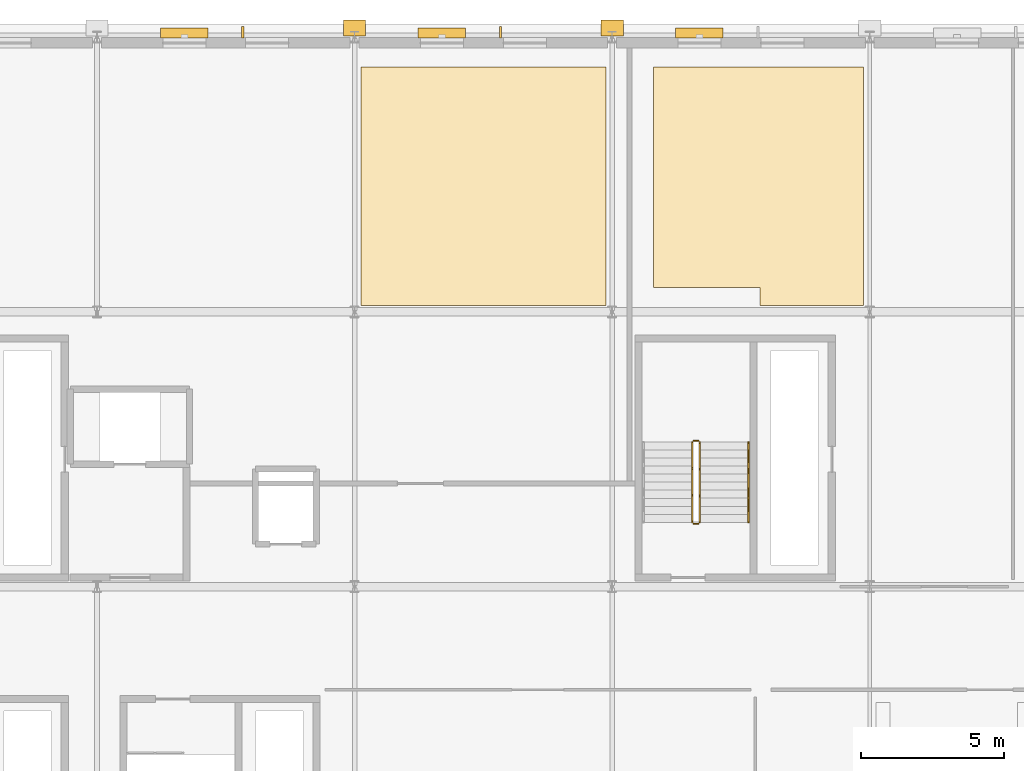
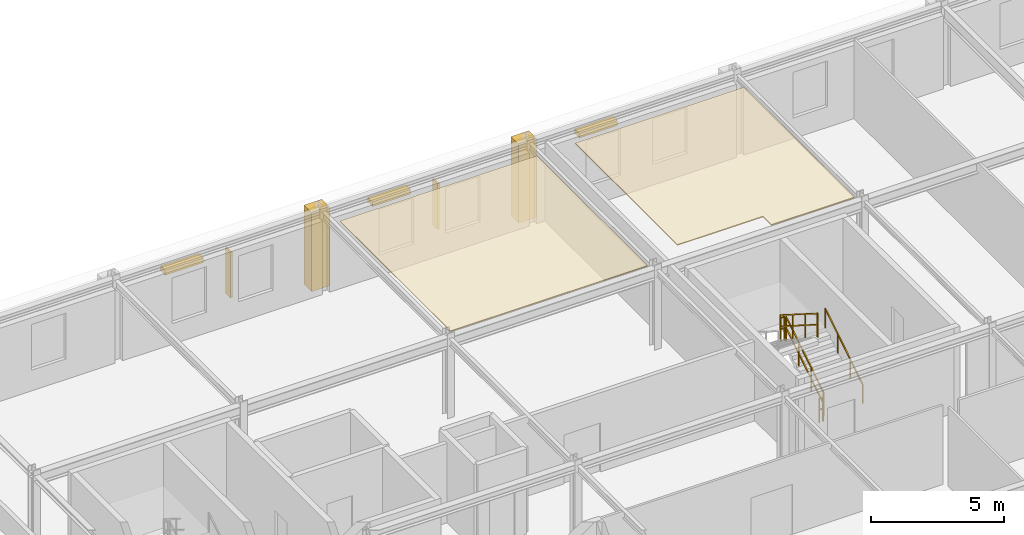
# One storey, part 50 of 52: 5 railings, 5 shading devices, 4 coverings.
"""IFC4 building model written with IfcOpenShell, lengths in metres."""

from ifc_helpers import new_model, si_unit, direction, frame, origin, origin_2d, place, context, subcontext, project, spatial, polyline, rectangle, outline, extrude, material, layer, layer_set, type_object, element, save


model = new_model("IFC4")

# Units and contexts
model_context = context("Model", 3, precision=1e-05, world=origin(), true_north=direction((0.0, 1.0)))
body_context = subcontext(model_context, "Body", "Model", "MODEL_VIEW")
ifc_project = project(units=[si_unit("LENGTHUNIT", "METRE"), si_unit("AREAUNIT", "SQUARE_METRE"), si_unit("VOLUMEUNIT", "CUBIC_METRE"), si_unit("PLANEANGLEUNIT", "RADIAN"), si_unit("MASSUNIT", "GRAM", prefix="KILO")], contexts=[model_context])

# Site, building, storey
site_placement = place(None, origin())
site = spatial("IfcSite", under=ifc_project, at=site_placement, CompositionType="ELEMENT")
building_placement = place(site_placement, origin())
building = spatial("IfcBuilding", under=site, at=building_placement, Name="Myrtia Square Station", CompositionType="ELEMENT")
storey_placement = place(building_placement, frame((0.0, 0.0, 15.0)))
storey = spatial("IfcBuildingStorey", under=building, at=storey_placement, Name="L03", CompositionType="ELEMENT", Elevation=15.0)

# Coverings
ifc_material_1 = material(Name="Pentelic marble ashlar", Category="masonry")
ifc_layer_1 = layer(ifc_material_1, 0.4599609375, Name="Pentelic marble ashlar")
ifc_layer_set_1 = layer_set([ifc_layer_1], Name="Pentelic marble ashlar")
covering_type_1 = type_object("IfcCoveringType", Name="COV-ARCH-ASHLAR", PredefinedType="CLADDING", material=ifc_layer_set_1)
for number, where, z_axis, x_axis, name in (
    (1, (144.0, 125.1201171875, -0.0400390625), (0.0, 0.0, 1.0), (1.0, 0.0, 0.0), "Classical Pentelic ashlar pilaster 084"),
    (2, (153.0, 125.1201171875, -0.0400390625), (0.0, 0.0, 1.0), (1.0, 0.0, 0.0), "Classical Pentelic ashlar pilaster 093"),
):
    element("IfcCovering", number, at=place(storey_placement, frame(where, z_axis=z_axis, x_axis=x_axis)), inside=storey, type_object=covering_type_1, Name=name, PredefinedType="CLADDING", context=body_context, shape_type="SweptSolid", body=[
        extrude(rectangle(XDim=0.780029296875, YDim=0.56005859375, at=origin_2d()), origin(), (0.0, 0.0, 1.0), 3.639892578125),
    ])
ifc_material_2 = material(Name="Gypsum plasterboard")
ifc_layer_2 = layer(ifc_material_2, 0.034912109375, Name="Gypsum plasterboard")
ifc_layer_set_2 = layer_set([ifc_layer_2], Name="Gypsum plasterboard")
covering_type_2 = type_object("IfcCoveringType", Name="COV-CEIL-ACOUSTIC", PredefinedType="CEILING", material=ifc_layer_set_2)
covering_1_placement = place(storey_placement, frame((0.0, 0.0, 3.625)))
element("IfcCovering", 3, at=covering_1_placement, inside=storey, type_object=covering_type_2, Name="Acoustic coffer ceiling L03-14", PredefinedType="CEILING", context=body_context, shape_type="SweptSolid", body=[
    extrude(outline(polyline([(152.780029296875, 123.75), (152.780029296875, 115.419921875), (144.219970703125, 115.419921875), (144.219970703125, 123.75), (152.780029296875, 123.75)])), origin(), (0.0, 0.0, 1.0), 0.034912109375),
])
ifc_material_3 = material(Name="Acoustic European oak timber", Category="wood")
ifc_layer_3 = layer(ifc_material_3, 0.044921875, Name="Acoustic European oak timber")
ifc_layer_set_3 = layer_set([ifc_layer_3], Name="Acoustic European oak timber")
covering_type_3 = type_object("IfcCoveringType", Name="COV-CEIL-OAK", PredefinedType="CEILING", material=ifc_layer_set_3)
covering_2_placement = place(storey_placement, frame((0.0, 0.0, 3.614990234375)))
element("IfcCovering", 4, at=covering_2_placement, inside=storey, type_object=covering_type_3, Name="Acoustic coffer ceiling L03-15", PredefinedType="CEILING", context=body_context, shape_type="SweptSolid", body=[
    extrude(outline(polyline([(158.159912109375, 116.050048828125), (154.449951171875, 116.050048828125), (154.449951171875, 123.75), (161.780029296875, 123.75), (161.780029296875, 115.419921875), (158.159912109375, 115.419921875), (158.159912109375, 116.050048828125)])), origin(), (0.0, 0.0, 1.0), 0.044921875),
])

# Railings
ifc_material_4 = material(Name="Dark bronze anodised aluminium", Category="aluminium")
railing_type_1 = type_object("IfcRailingType", Name="RL-HANDRAIL-900", PredefinedType="HANDRAIL", material=ifc_material_4)
railing_1_placement = place(storey_placement, frame((157.760009765625, 107.85009765625, 0.17724609375)))
element("IfcRailing", 5, at=railing_1_placement, inside=storey, type_object=railing_type_1, Name="L03 ST15 stair handrail 1", PredefinedType="HANDRAIL", context=body_context, shape_type="SweptSolid", body=[
    extrude(rectangle(XDim=0.048095703125, YDim=0.048095703125, at=origin_2d()), frame((0.0, 0.029296875, 0.894287109375), z_axis=(0.0, 0.844887892834, 0.53494340686), x_axis=(-1.0, 0.0, 0.0)), (0.0, 0.0, 1.0), 1.035400390625),
    extrude(rectangle(XDim=0.048095703125, YDim=0.048095703125, at=origin_2d()), frame((0.0, 0.962646484375, 1.4853515625), z_axis=(0.0, 0.844887892834, 0.53494340686), x_axis=(-1.0, 0.0, 0.0)), (0.0, 0.0, 1.0), 1.035400390625),
    extrude(rectangle(XDim=0.048095703125, YDim=0.048095703125, at=origin_2d()), frame((0.0, 1.895751953125, 2.076171875), z_axis=(0.0, 0.844887892834, 0.53494340686), x_axis=(-1.0, 0.0, 0.0)), (0.0, 0.0, 1.0), 1.035400390625),
    extrude(rectangle(XDim=0.0439453125, YDim=0.0439453125, at=origin_2d()), origin(), (0.0, 0.0, 1.0), 0.89990234375),
    extrude(rectangle(XDim=0.0439453125, YDim=0.0439453125, at=origin_2d()), frame((0.0, 0.933349609375, 0.5908203125)), (0.0, 0.0, 1.0), 0.89990234375),
    extrude(rectangle(XDim=0.0439453125, YDim=0.0439453125, at=origin_2d()), frame((0.0, 1.866455078125, 1.181884765625)), (0.0, 0.0, 1.0), 0.89990234375),
    extrude(rectangle(XDim=0.0439453125, YDim=0.0439453125, at=origin_2d()), frame((0.0, 2.7998046875, 1.772705078125)), (0.0, 0.0, 1.0), 0.89990234375),
])
ifc_material_5 = material(Name="Wrought iron", Category="steel")
railing_type_2 = type_object("IfcRailingType", Name="RL-INT-GUARD-1100", PredefinedType="BALUSTRADE", material=ifc_material_5)
railing_2_placement = place(storey_placement, frame((156.06005859375, 107.85009765625, 0.17724609375)))
element("IfcRailing", 6, at=railing_2_placement, inside=storey, type_object=railing_type_2, Name="L03 ST15 stair guard 1", PredefinedType="BALUSTRADE", context=body_context, shape_type="SweptSolid", body=[
    extrude(rectangle(XDim=0.048095703125, YDim=0.048095703125, at=origin_2d()), frame((0.0, 0.029296875, 1.114501953125), z_axis=(0.0, 0.844887892834, 0.53494340686), x_axis=(-1.0, 0.0, 0.0)), (0.0, 0.0, 1.0), 1.035400390625),
    extrude(rectangle(XDim=0.048095703125, YDim=0.048095703125, at=origin_2d()), frame((0.0, 0.029296875, 0.60107421875), z_axis=(0.0, 0.844887892834, 0.53494340686), x_axis=(-1.0, 0.0, 0.0)), (0.0, 0.0, 1.0), 1.035400390625),
    extrude(rectangle(XDim=0.048095703125, YDim=0.048095703125, at=origin_2d()), frame((0.0, 0.962646484375, 1.70556640625), z_axis=(0.0, 0.844887892834, 0.53494340686), x_axis=(-1.0, 0.0, 0.0)), (0.0, 0.0, 1.0), 1.035400390625),
    extrude(rectangle(XDim=0.048095703125, YDim=0.048095703125, at=origin_2d()), frame((0.0, 0.962646484375, 1.19189453125), z_axis=(0.0, 0.844887892834, 0.53494340686), x_axis=(-1.0, 0.0, 0.0)), (0.0, 0.0, 1.0), 1.035400390625),
    extrude(rectangle(XDim=0.048095703125, YDim=0.048095703125, at=origin_2d()), frame((0.0, 1.895751953125, 2.29638671875), z_axis=(0.0, 0.844887892834, 0.53494340686), x_axis=(-1.0, 0.0, 0.0)), (0.0, 0.0, 1.0), 1.035400390625),
    extrude(rectangle(XDim=0.048095703125, YDim=0.048095703125, at=origin_2d()), frame((0.0, 1.895751953125, 1.78271484375), z_axis=(0.0, 0.844887892834, 0.53494340686), x_axis=(-1.0, 0.0, 0.0)), (0.0, 0.0, 1.0), 1.035400390625),
    extrude(rectangle(XDim=0.0439453125, YDim=0.0439453125, at=origin_2d()), origin(), (0.0, 0.0, 1.0), 1.1201171875),
    extrude(rectangle(XDim=0.0439453125, YDim=0.0439453125, at=origin_2d()), frame((0.0, 0.933349609375, 0.5908203125)), (0.0, 0.0, 1.0), 1.1201171875),
    extrude(rectangle(XDim=0.0439453125, YDim=0.0439453125, at=origin_2d()), frame((0.0, 1.866455078125, 1.181884765625)), (0.0, 0.0, 1.0), 1.1201171875),
    extrude(rectangle(XDim=0.0439453125, YDim=0.0439453125, at=origin_2d()), frame((0.0, 2.7998046875, 1.772705078125)), (0.0, 0.0, 1.0), 1.1201171875),
])
railing_3_placement = place(storey_placement, frame((156.010009765625, 110.699951171875, 1.949951171875)))
element("IfcRailing", 7, at=railing_3_placement, inside=storey, type_object=railing_type_2, Name="L03 ST15 stair guard 2", PredefinedType="BALUSTRADE", context=body_context, shape_type="SweptSolid", body=[
    extrude(rectangle(XDim=0.048095703125, YDim=0.048095703125, at=origin_2d()), frame((-0.03466796875, 0.0, 1.09619140625), z_axis=(-1.0, 0.0, 0.0), x_axis=(0.0, -1.0, 0.0)), (0.0, 0.0, 1.0), 0.090576171875),
    extrude(rectangle(XDim=0.048095703125, YDim=0.048095703125, at=origin_2d()), frame((-0.03466796875, 0.0, 0.58251953125), z_axis=(-1.0, 0.0, 0.0), x_axis=(0.0, -1.0, 0.0)), (0.0, 0.0, 1.0), 0.090576171875),
    extrude(rectangle(XDim=0.0439453125, YDim=0.0439453125, at=origin_2d()), origin(), (0.0, 0.0, 1.0), 1.1201171875),
    extrude(rectangle(XDim=0.0439453125, YDim=0.0439453125, at=origin_2d()), frame((-0.159912109375, 0.0, 0.0)), (0.0, 0.0, 1.0), 1.1201171875),
])
railing_4_placement = place(storey_placement, frame((155.800048828125, 110.64990234375, 2.127197265625)))
element("IfcRailing", 8, at=railing_4_placement, inside=storey, type_object=railing_type_2, Name="L03 ST15 stair guard 3", PredefinedType="BALUSTRADE", context=body_context, shape_type="SweptSolid", body=[
    extrude(rectangle(XDim=0.048095703125, YDim=0.048095703125, at=origin_2d()), frame((0.0, -0.029296875, 1.114501953125), z_axis=(0.0, -0.844887892834, 0.53494340686), x_axis=(1.0, 0.0, 0.0)), (0.0, 0.0, 1.0), 1.035400390625),
    extrude(rectangle(XDim=0.048095703125, YDim=0.048095703125, at=origin_2d()), frame((0.0, -0.029296875, 0.60107421875), z_axis=(0.0, -0.844887892834, 0.53494340686), x_axis=(1.0, 0.0, 0.0)), (0.0, 0.0, 1.0), 1.035400390625),
    extrude(rectangle(XDim=0.048095703125, YDim=0.048095703125, at=origin_2d()), frame((0.0, -0.962646484375, 1.70556640625), z_axis=(0.0, -0.844887892834, 0.53494340686), x_axis=(1.0, 0.0, 0.0)), (0.0, 0.0, 1.0), 1.035400390625),
    extrude(rectangle(XDim=0.048095703125, YDim=0.048095703125, at=origin_2d()), frame((0.0, -0.962646484375, 1.19189453125), z_axis=(0.0, -0.844887892834, 0.53494340686), x_axis=(1.0, 0.0, 0.0)), (0.0, 0.0, 1.0), 1.035400390625),
    extrude(rectangle(XDim=0.048095703125, YDim=0.048095703125, at=origin_2d()), frame((0.0, -1.895751953125, 2.29638671875), z_axis=(0.0, -0.844887892834, 0.53494340686), x_axis=(1.0, 0.0, 0.0)), (0.0, 0.0, 1.0), 1.035400390625),
    extrude(rectangle(XDim=0.048095703125, YDim=0.048095703125, at=origin_2d()), frame((0.0, -1.895751953125, 1.78271484375), z_axis=(0.0, -0.844887892834, 0.53494340686), x_axis=(1.0, 0.0, 0.0)), (0.0, 0.0, 1.0), 1.035400390625),
    extrude(rectangle(XDim=0.0439453125, YDim=0.0439453125, at=origin_2d()), origin(), (0.0, 0.0, 1.0), 1.1201171875),
    extrude(rectangle(XDim=0.0439453125, YDim=0.0439453125, at=origin_2d()), frame((0.0, -0.933349609375, 0.5908203125)), (0.0, 0.0, 1.0), 1.1201171875),
    extrude(rectangle(XDim=0.0439453125, YDim=0.0439453125, at=origin_2d()), frame((0.0, -1.866455078125, 1.181884765625)), (0.0, 0.0, 1.0), 1.1201171875),
    extrude(rectangle(XDim=0.0439453125, YDim=0.0439453125, at=origin_2d()), frame((0.0, -2.7998046875, 1.772705078125)), (0.0, 0.0, 1.0), 1.1201171875),
])
railing_5_placement = place(storey_placement, frame((156.010009765625, 107.800048828125, 0.0)))
element("IfcRailing", 9, at=railing_5_placement, inside=storey, type_object=railing_type_2, Name="L03 ST15 stair guard 4", PredefinedType="BALUSTRADE", context=body_context, shape_type="SweptSolid", body=[
    extrude(rectangle(XDim=0.048095703125, YDim=0.048095703125, at=origin_2d()), frame((-0.03466796875, 0.0, 1.09619140625), z_axis=(-1.0, 0.0, 0.0), x_axis=(0.0, -1.0, 0.0)), (0.0, 0.0, 1.0), 0.090576171875),
    extrude(rectangle(XDim=0.048095703125, YDim=0.048095703125, at=origin_2d()), frame((-0.03466796875, 0.0, 0.58251953125), z_axis=(-1.0, 0.0, 0.0), x_axis=(0.0, -1.0, 0.0)), (0.0, 0.0, 1.0), 0.090576171875),
    extrude(rectangle(XDim=0.0439453125, YDim=0.0439453125, at=origin_2d()), origin(), (0.0, 0.0, 1.0), 1.1201171875),
    extrude(rectangle(XDim=0.0439453125, YDim=0.0439453125, at=origin_2d()), frame((-0.159912109375, 0.0, 0.0)), (0.0, 0.0, 1.0), 1.1201171875),
])

# Shading devices
shading_device_type_1 = type_object("IfcShadingDeviceType", Name="SHD-FIN-BRONZE", PredefinedType="USERDEFINED", material=ifc_material_4)
for number, where, z_axis, x_axis, name in (
    (10, (140.097900390625, 124.969970703125, 0.949951171875), (0.0, 0.0, 1.0), (1.0, 0.0, 0.0), "Vertical bronze solar fin SHF-064"),
    (11, (149.097900390625, 124.969970703125, 0.949951171875), (0.0, 0.0, 1.0), (1.0, 0.0, 0.0), "Vertical bronze solar fin SHF-065"),
):
    element("IfcShadingDevice", number, at=place(storey_placement, frame(where, z_axis=z_axis, x_axis=x_axis)), inside=storey, type_object=shading_device_type_1, Name=name, ObjectType="FIN", PredefinedType="USERDEFINED", context=body_context, shape_type="SweptSolid", body=[
        extrude(rectangle(XDim=0.080078125, YDim=0.389892578125, at=origin_2d()), origin(), (0.0, 0.0, 1.0), 2.10009765625),
    ])
shading_device_type_2 = type_object("IfcShadingDeviceType", Name="SHD-JALOUSIE-BRONZE", PredefinedType="JALOUSIE", material=ifc_material_4)
for number, where, z_axis, x_axis, name in (
    (12, (138.052001953125, 124.949951171875, 2.990234375), (0.0, 0.0, 1.0), (1.0, 0.0, 0.0), "Mediterranean bronze solar louvre SHL-064"),
    (13, (147.052001953125, 124.949951171875, 2.990234375), (0.0, 0.0, 1.0), (1.0, 0.0, 0.0), "Mediterranean bronze solar louvre SHL-065"),
    (14, (156.052001953125, 124.949951171875, 2.990234375), (0.0, 0.0, 1.0), (1.0, 0.0, 0.0), "Mediterranean bronze solar louvre SHL-066"),
):
    element("IfcShadingDevice", number, at=place(storey_placement, frame(where, z_axis=z_axis, x_axis=x_axis)), inside=storey, type_object=shading_device_type_2, Name=name, PredefinedType="JALOUSIE", context=body_context, shape_type="SweptSolid", body=[
        extrude(rectangle(XDim=1.659912109375, YDim=0.35009765625, at=origin_2d()), origin(), (0.0, 0.0, 1.0), 0.219970703125),
    ])

save(model, "model.ifc")
